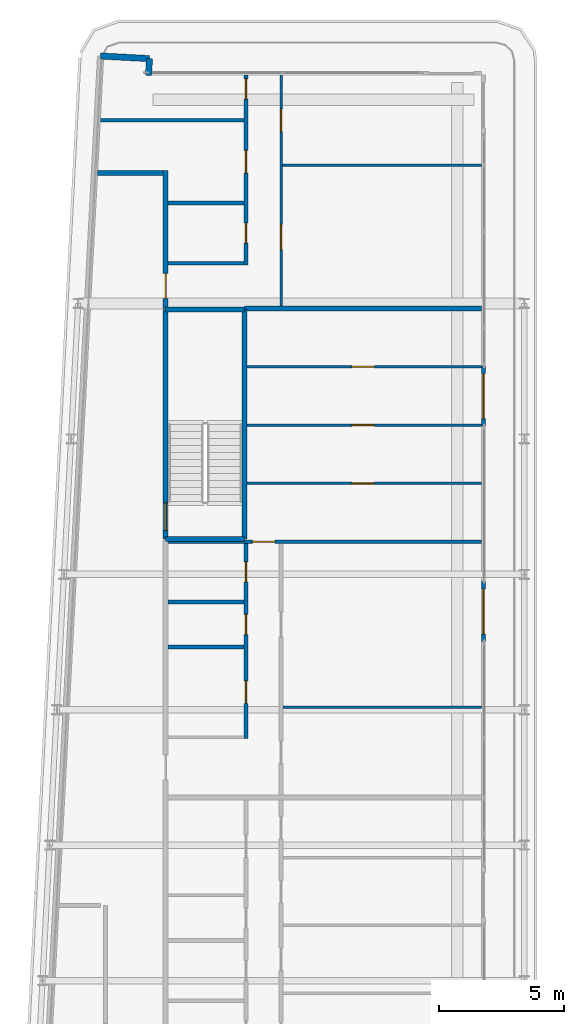
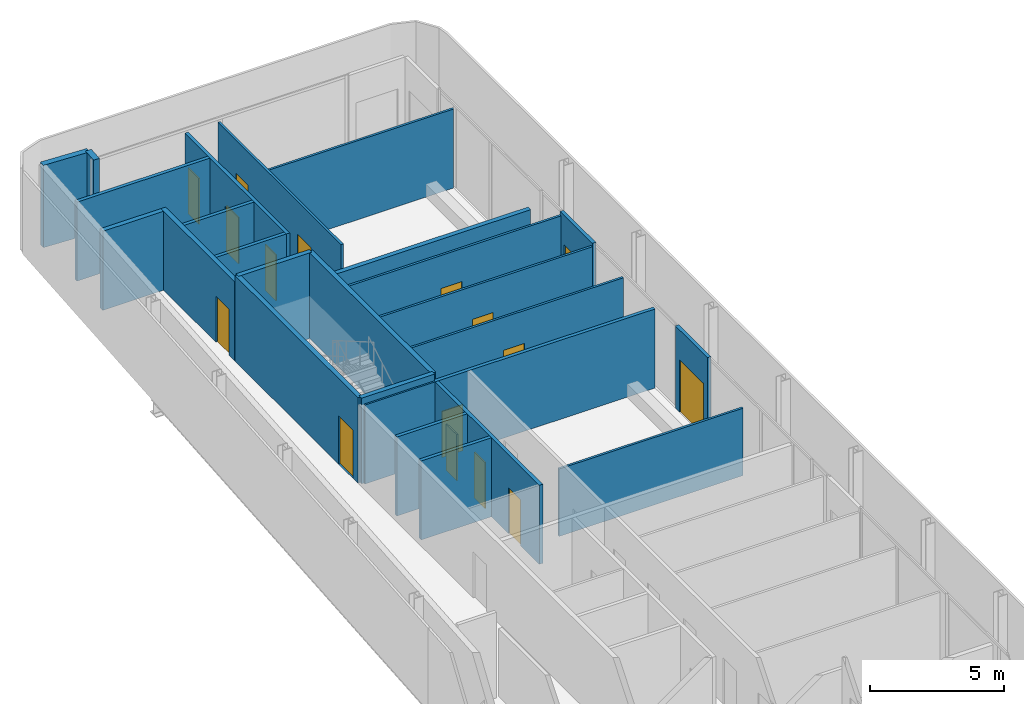
# One storey, part 14 of 21: 25 walls, 16 doors, 16 openings.
"""IFC4 building model written with IfcOpenShell, lengths in metres."""

from ifc_helpers import new_model, si_unit, direction, frame, frame_2d, origin, place, context, subcontext, project, spatial, rectangle, extrude, source, transform, mapped, material, layer, layer_set, type_object, element, fill, save


model = new_model("IFC4")

# Units and contexts
model_context = context("Model", 3, precision=1e-05, world=origin(), true_north=direction((0.0, 1.0)))
body_context = subcontext(model_context, "Body", "Model", "MODEL_VIEW")
ifc_project = project(units=[si_unit("LENGTHUNIT", "METRE"), si_unit("AREAUNIT", "SQUARE_METRE"), si_unit("VOLUMEUNIT", "CUBIC_METRE"), si_unit("PLANEANGLEUNIT", "RADIAN"), si_unit("MASSUNIT", "GRAM", prefix="KILO")], contexts=[model_context])

# Site, building, storey
site_placement = place(None, origin())
site = spatial("IfcSite", under=ifc_project, at=site_placement, CompositionType="ELEMENT")
building_placement = place(site_placement, origin())
building = spatial("IfcBuilding", under=site, at=building_placement, Name="Kheshtan School and Residences Tower", CompositionType="ELEMENT")
storey_placement = place(building_placement, frame((0.0, 0.0, 305.89990234375)))
storey = spatial("IfcBuildingStorey", under=building, at=storey_placement, Name="L72", CompositionType="ELEMENT", Elevation=305.89990234375)

# Wall
ifc_material_1 = material(Name="Gypsum board on steel studs with fire boards", Category="steel")
ifc_layer_1 = layer(ifc_material_1, 0.199951171875)
ifc_layer_set_1 = layer_set([ifc_layer_1], Name="Corridor wall 200")
wall_type_1 = type_object("IfcWallType", Name="Corridor wall 200", PredefinedType="PARTITIONING", material=ifc_layer_set_1)
wall_1_placement = place(storey_placement, frame((30.584716796875, 94.0, 0.0), z_axis=(0.0, 0.0, 1.0), x_axis=(1.0, 0.0, 0.0)))
element("IfcWall", 1, at=wall_1_placement, inside=storey, type_object=wall_type_1, Name="Partition L72-002", PredefinedType="PARTITIONING", context=body_context, shape_type="SweptSolid", body=[
    extrude(rectangle(XDim=2.615234375, YDim=0.199951171875, at=frame_2d((1.3076171875, 0.0))), origin(), (0.0, 0.0, 1.0), 3.60009765625),
])

# Wall, opening, door
wall_2_placement = place(storey_placement, frame((33.300048828125, 88.60009765625, 0.0), z_axis=(0.0, 0.0, 1.0), x_axis=(0.0, 1.0, 0.0)))
wall_2 = element("IfcWall", 2, at=wall_2_placement, inside=storey, type_object=wall_type_1, Name="Partition L72-004", PredefinedType="PARTITIONING", context=body_context, shape_type="SweptSolid", body=[
    extrude(rectangle(XDim=5.5, YDim=0.199951171875, at=frame_2d((2.75, 0.0))), origin(), (0.0, 0.0, 1.0), 3.60009765625),
])
opening_1_placement = place(wall_2_placement, frame((0.39990234375, 0.0, 0.0)))
opening_1 = element("IfcOpeningElement", 3, at=opening_1_placement, cuts=wall_2, Name="Opening D72-033", PredefinedType="OPENING", context=body_context, shape_type="SweptSolid", body=[
    extrude(rectangle(XDim=1.0, YDim=2.10009765625, at=frame_2d((0.5, 1.050048828125))), frame((0.0, 0.10986328125, 0.0), z_axis=(0.0, -1.0, 0.0), x_axis=(1.0, 0.0, 0.0)), (0.0, 0.0, 1.0), 0.219970703125),
])
ifc_material_2 = material(Name="Steel-framed fire-resisting door leaf", Category="steel")
door_type_1 = type_object("IfcDoorType", Name="Fire door FD30S 1000 x 2100", OperationType="SINGLE_SWING_LEFT", PredefinedType="DOOR", material=ifc_material_2)
shared_shape_1 = source(origin(), body_context, "Body", "SweptSolid", [
    extrude(rectangle(XDim=1.0, YDim=2.10009765625, at=frame_2d((0.5, 1.050048828125))), frame((0.0, 0.02490234375, 0.0), z_axis=(0.0, -1.0, 0.0), x_axis=(1.0, 0.0, 0.0)), (0.0, 0.0, 1.0), 0.050048828125),
])
door_1_placement = place(opening_1_placement, origin())
door_1 = element("IfcDoor", 4, at=door_1_placement, inside=storey, type_object=door_type_1, Name="Door D72-033", OperationType="SINGLE_SWING_LEFT", OverallHeight=2.10009765625, OverallWidth=1.0, PredefinedType="DOOR", context=body_context, shape_type="MappedRepresentation", body=[
    mapped(shared_shape_1, transform((0.0, 0.0, 0.0), x_axis=(1.0, 0.0, 0.0), y_axis=(0.0, 1.0, 0.0), z_axis=(0.0, 0.0, 1.0), scale=1.0)),
])
fill(opening_1, door_1)

# Walls
ifc_material_3 = material(Name="Concrete C40/50 with ceramic cladding and mineral wool insulation", Category="concrete")
ifc_layer_2 = layer(ifc_material_3, 0.25)
ifc_layer_set_2 = layer_set([ifc_layer_2], Name="External wall 250 ceramic clad")
wall_type_2 = type_object("IfcWallType", Name="External wall 250 ceramic clad", PredefinedType="SOLIDWALL", material=ifc_layer_set_2)
wall_3_placement = place(storey_placement, frame((30.705078125, 98.6640625, 0.0), z_axis=(0.0, 0.0, 1.0), x_axis=(0.998577785791, -0.053314216913, 0.0)))
element("IfcWall", 5, at=wall_3_placement, inside=storey, type_object=wall_type_2, Name="External wall L72 5", PredefinedType="SOLIDWALL", context=body_context, shape_type="SweptSolid", body=[
    extrude(rectangle(XDim=1.95068359375, YDim=0.25, at=frame_2d((0.975341796875, 0.0))), origin(), (0.0, 0.0, 1.0), 3.75),
])
wall_4_placement = place(storey_placement, frame((32.653076171875, 98.56005859375, 0.0), z_axis=(0.0, 0.0, 1.0), x_axis=(-0.054093451632, -0.998535877418, 0.0)))
element("IfcWall", 6, at=wall_4_placement, inside=storey, type_object=wall_type_2, Name="External wall L72 6", PredefinedType="SOLIDWALL", context=body_context, shape_type="SweptSolid", body=[
    extrude(rectangle(XDim=0.66796875, YDim=0.25, at=frame_2d((0.333984375, 0.0))), origin(), (0.0, 0.0, 1.0), 3.75),
])

# Wall, opening, door
ifc_material_4 = material(Name="Aluminium frame wall with insulated infill", Category="aluminium")
ifc_layer_3 = layer(ifc_material_4, 0.14990234375)
ifc_layer_set_3 = layer_set([ifc_layer_3], Name="Glazing frame wall 150")
wall_type_3 = type_object("IfcWallType", Name="Glazing frame wall 150", PredefinedType="SOLIDWALL", material=ifc_layer_set_3)
wall_5_placement = place(storey_placement, frame((45.97509765625, 86.305908203125, 0.0), z_axis=(0.0, 0.0, 1.0), x_axis=(0.0, -1.0, 0.0)))
wall_5 = element("IfcWall", 7, at=wall_5_placement, inside=storey, type_object=wall_type_3, Name="Balcony door wall L72 8.2", PredefinedType="SOLIDWALL", context=body_context, shape_type="SweptSolid", body=[
    extrude(rectangle(XDim=2.39990234375, YDim=0.14990234375, at=frame_2d((1.199951171875, 0.0))), origin(), (0.0, 0.0, 1.0), 3.75),
])
opening_2_placement = place(wall_5_placement, frame((0.300048828125, 0.0, 0.0)))
opening_2 = element("IfcOpeningElement", 8, at=opening_2_placement, cuts=wall_5, Name="Opening BD", PredefinedType="OPENING", context=body_context, shape_type="SweptSolid", body=[
    extrude(rectangle(XDim=1.800048828125, YDim=2.39990234375, at=frame_2d((0.89990234375, 1.199951171875))), frame((0.0, 0.0849609375, 0.0), z_axis=(0.0, -1.0, 0.0), x_axis=(1.0, 0.0, 0.0)), (0.0, 0.0, 1.0), 0.169921875),
])
ifc_material_5 = material(Name="Clear low-e glass in thermally broken aluminium frame", Category="aluminium")
door_type_2 = type_object("IfcDoorType", Name="Balcony sliding door", OperationType="SLIDING_TO_LEFT", PredefinedType="DOOR", material=ifc_material_5)
shared_shape_2 = source(origin(), body_context, "Body", "SweptSolid", [
    extrude(rectangle(XDim=1.800048828125, YDim=2.39990234375, at=frame_2d((0.89990234375, 1.199951171875))), frame((0.0, 0.02490234375, 0.0), z_axis=(0.0, -1.0, 0.0), x_axis=(1.0, 0.0, 0.0)), (0.0, 0.0, 1.0), 0.050048828125),
])
door_2_placement = place(opening_2_placement, origin())
door_2 = element("IfcDoor", 9, at=door_2_placement, inside=storey, type_object=door_type_2, Name="Balcony door L72 8.2", OperationType="SLIDING_TO_LEFT", OverallHeight=2.39990234375, OverallWidth=1.800048828125, PredefinedType="DOOR", context=body_context, shape_type="MappedRepresentation", body=[
    mapped(shared_shape_2, transform((0.0, 0.0, 0.0), x_axis=(1.0, 0.0, 0.0), y_axis=(0.0, 1.0, 0.0), z_axis=(0.0, 0.0, 1.0), scale=1.0)),
])
fill(opening_2, door_2)

wall_6_placement = place(storey_placement, frame((45.97509765625, 77.7119140625, 0.0), z_axis=(0.0, 0.0, 1.0), x_axis=(0.0, -1.0, 0.0)))
wall_6 = element("IfcWall", 10, at=wall_6_placement, inside=storey, type_object=wall_type_3, Name="Balcony door wall L72 8.3", PredefinedType="SOLIDWALL", context=body_context, shape_type="SweptSolid", body=[
    extrude(rectangle(XDim=2.39990234375, YDim=0.14990234375, at=frame_2d((1.199951171875, 0.0))), origin(), (0.0, 0.0, 1.0), 3.75),
])
opening_3_placement = place(wall_6_placement, frame((0.300048828125, 0.0, 0.0)))
opening_3 = element("IfcOpeningElement", 11, at=opening_3_placement, cuts=wall_6, Name="Opening BD", PredefinedType="OPENING", context=body_context, shape_type="SweptSolid", body=[
    extrude(rectangle(XDim=1.800048828125, YDim=2.39990234375, at=frame_2d((0.89990234375, 1.199951171875))), frame((0.0, 0.0849609375, 0.0), z_axis=(0.0, -1.0, 0.0), x_axis=(1.0, 0.0, 0.0)), (0.0, 0.0, 1.0), 0.169921875),
])
door_3_placement = place(opening_3_placement, origin())
door_3 = element("IfcDoor", 12, at=door_3_placement, inside=storey, type_object=door_type_2, Name="Balcony door L72 8.3", OperationType="SLIDING_TO_LEFT", OverallHeight=2.39990234375, OverallWidth=1.800048828125, PredefinedType="DOOR", context=body_context, shape_type="MappedRepresentation", body=[
    mapped(shared_shape_2, transform((0.0, 0.0, 0.0), x_axis=(1.0, 0.0, 0.0), y_axis=(0.0, 1.0, 0.0), z_axis=(0.0, 0.0, 1.0), scale=1.0)),
])
fill(opening_3, door_3)

ifc_material_6 = material(Name="Gypsum board on steel studs", Category="steel")
ifc_layer_4 = layer(ifc_material_6, 0.10009765625)
ifc_layer_set_4 = layer_set([ifc_layer_4], Name="Gypsum partition 100")
wall_type_4 = type_object("IfcWallType", Name="Gypsum partition 100", PredefinedType="PARTITIONING", material=ifc_layer_set_4)
wall_7_placement = place(storey_placement, frame((36.549072265625, 81.625, 0.0), z_axis=(0.0, 0.0, 1.0), x_axis=(1.0, 0.0, 0.0)))
wall_7 = element("IfcWall", 13, at=wall_7_placement, inside=storey, type_object=wall_type_4, Name="Partition L72-026", PredefinedType="PARTITIONING", context=body_context, shape_type="SweptSolid", body=[
    extrude(rectangle(XDim=9.350830078125, YDim=0.10009765625, at=frame_2d((4.67529296875, 0.0))), origin(), (0.0, 0.0, 1.0), 3.60009765625),
])
opening_4_placement = place(wall_7_placement, frame((4.176025390625, 0.0, 0.0)))
opening_4 = element("IfcOpeningElement", 14, at=opening_4_placement, cuts=wall_7, Name="Opening D72-028", PredefinedType="OPENING", context=body_context, shape_type="SweptSolid", body=[
    extrude(rectangle(XDim=0.89990234375, YDim=2.10009765625, at=frame_2d((0.449951171875, 1.050048828125))), frame((0.0, 0.06005859375, 0.0), z_axis=(0.0, -1.0, 0.0), x_axis=(1.0, 0.0, 0.0)), (0.0, 0.0, 1.0), 0.1201171875),
])
ifc_material_7 = material(Name="Veneered timber door leaf", Category="wood")
door_type_3 = type_object("IfcDoorType", Name="Door 900 x 2100", OperationType="SINGLE_SWING_LEFT", PredefinedType="DOOR", material=ifc_material_7)
shared_shape_3 = source(origin(), body_context, "Body", "SweptSolid", [
    extrude(rectangle(XDim=0.89990234375, YDim=2.10009765625, at=frame_2d((0.449951171875, 1.050048828125))), frame((0.0, 0.02490234375, 0.0), z_axis=(0.0, -1.0, 0.0), x_axis=(1.0, 0.0, 0.0)), (0.0, 0.0, 1.0), 0.050048828125),
])
door_4_placement = place(opening_4_placement, origin())
door_4 = element("IfcDoor", 15, at=door_4_placement, inside=storey, type_object=door_type_3, Name="Door D72-028", OperationType="SINGLE_SWING_RIGHT", OverallHeight=2.10009765625, OverallWidth=0.89990234375, PredefinedType="DOOR", context=body_context, shape_type="MappedRepresentation", body=[
    mapped(shared_shape_3, transform((0.0, 0.0, 0.0), x_axis=(1.0, 0.0, 0.0), y_axis=(0.0, 1.0, 0.0), z_axis=(0.0, 0.0, 1.0), scale=1.0)),
])
fill(opening_4, door_4)

wall_8_placement = place(storey_placement, frame((36.549072265625, 83.949951171875, 0.0), z_axis=(0.0, 0.0, 1.0), x_axis=(1.0, 0.0, 0.0)))
wall_8 = element("IfcWall", 16, at=wall_8_placement, inside=storey, type_object=wall_type_4, Name="Partition L72-027", PredefinedType="PARTITIONING", context=body_context, shape_type="SweptSolid", body=[
    extrude(rectangle(XDim=9.350830078125, YDim=0.10009765625, at=frame_2d((4.67529296875, 0.0))), origin(), (0.0, 0.0, 1.0), 3.60009765625),
])
opening_5_placement = place(wall_8_placement, frame((4.176025390625, 0.0, 0.0)))
opening_5 = element("IfcOpeningElement", 17, at=opening_5_placement, cuts=wall_8, Name="Opening D72-029", PredefinedType="OPENING", context=body_context, shape_type="SweptSolid", body=[
    extrude(rectangle(XDim=0.89990234375, YDim=2.10009765625, at=frame_2d((0.449951171875, 1.050048828125))), frame((0.0, 0.06005859375, 0.0), z_axis=(0.0, -1.0, 0.0), x_axis=(1.0, 0.0, 0.0)), (0.0, 0.0, 1.0), 0.1201171875),
])
door_5_placement = place(opening_5_placement, origin())
door_5 = element("IfcDoor", 18, at=door_5_placement, inside=storey, type_object=door_type_3, Name="Door D72-029", OperationType="SINGLE_SWING_RIGHT", OverallHeight=2.10009765625, OverallWidth=0.89990234375, PredefinedType="DOOR", context=body_context, shape_type="MappedRepresentation", body=[
    mapped(shared_shape_3, transform((0.0, 0.0, 0.0), x_axis=(1.0, 0.0, 0.0), y_axis=(0.0, 1.0, 0.0), z_axis=(0.0, 0.0, 1.0), scale=1.0)),
])
fill(opening_5, door_5)

wall_9_placement = place(storey_placement, frame((36.549072265625, 86.27490234375, 0.0), z_axis=(0.0, 0.0, 1.0), x_axis=(1.0, 0.0, 0.0)))
wall_9 = element("IfcWall", 19, at=wall_9_placement, inside=storey, type_object=wall_type_4, Name="Partition L72-028", PredefinedType="PARTITIONING", context=body_context, shape_type="SweptSolid", body=[
    extrude(rectangle(XDim=9.350830078125, YDim=0.10009765625, at=frame_2d((4.67529296875, 0.0))), origin(), (0.0, 0.0, 1.0), 3.60009765625),
])
opening_6_placement = place(wall_9_placement, frame((4.176025390625, 0.0, 0.0)))
opening_6 = element("IfcOpeningElement", 20, at=opening_6_placement, cuts=wall_9, Name="Opening D72-030", PredefinedType="OPENING", context=body_context, shape_type="SweptSolid", body=[
    extrude(rectangle(XDim=0.89990234375, YDim=2.10009765625, at=frame_2d((0.449951171875, 1.050048828125))), frame((0.0, 0.06005859375, 0.0), z_axis=(0.0, -1.0, 0.0), x_axis=(1.0, 0.0, 0.0)), (0.0, 0.0, 1.0), 0.1201171875),
])
door_6_placement = place(opening_6_placement, origin())
door_6 = element("IfcDoor", 21, at=door_6_placement, inside=storey, type_object=door_type_3, Name="Door D72-030", OperationType="SINGLE_SWING_RIGHT", OverallHeight=2.10009765625, OverallWidth=0.89990234375, PredefinedType="DOOR", context=body_context, shape_type="MappedRepresentation", body=[
    mapped(shared_shape_3, transform((0.0, 0.0, 0.0), x_axis=(1.0, 0.0, 0.0), y_axis=(0.0, 1.0, 0.0), z_axis=(0.0, 0.0, 1.0), scale=1.0)),
])
fill(opening_6, door_6)

# Wall, openings, doors
wall_10_placement = place(storey_placement, frame((37.89990234375, 88.699951171875, 0.0), z_axis=(0.0, 0.0, 1.0), x_axis=(0.0, 1.0, 0.0)))
wall_10 = element("IfcWall", 22, at=wall_10_placement, inside=storey, type_object=wall_type_4, Name="Partition L72-032", PredefinedType="PARTITIONING", context=body_context, shape_type="SweptSolid", body=[
    extrude(rectangle(XDim=9.199951171875, YDim=0.10009765625, at=frame_2d((4.60009765625, 0.0))), origin(), (0.0, 0.0, 1.0), 3.60009765625),
])
opening_7_placement = place(wall_10_placement, frame((6.949951171875, 0.0, 0.0)))
opening_7 = element("IfcOpeningElement", 23, at=opening_7_placement, cuts=wall_10, Name="Opening D72-032", PredefinedType="OPENING", context=body_context, shape_type="SweptSolid", body=[
    extrude(rectangle(XDim=0.89990234375, YDim=2.10009765625, at=frame_2d((0.449951171875, 1.050048828125))), frame((0.0, 0.06005859375, 0.0), z_axis=(0.0, -1.0, 0.0), x_axis=(1.0, 0.0, 0.0)), (0.0, 0.0, 1.0), 0.1201171875),
])
opening_8_placement = place(wall_10_placement, frame((2.25, 0.0, 0.0)))
opening_8 = element("IfcOpeningElement", 24, at=opening_8_placement, cuts=wall_10, Name="Opening D72-035", PredefinedType="OPENING", context=body_context, shape_type="SweptSolid", body=[
    extrude(rectangle(XDim=1.0, YDim=2.10009765625, at=frame_2d((0.5, 1.050048828125))), frame((0.0, 0.06005859375, 0.0), z_axis=(0.0, -1.0, 0.0), x_axis=(1.0, 0.0, 0.0)), (0.0, 0.0, 1.0), 0.1201171875),
])
door_type_4 = type_object("IfcDoorType", Name="Door 1000 x 2100", OperationType="SINGLE_SWING_LEFT", PredefinedType="DOOR", material=ifc_material_7)
shared_shape_4 = source(origin(), body_context, "Body", "SweptSolid", [
    extrude(rectangle(XDim=1.0, YDim=2.10009765625, at=frame_2d((0.5, 1.050048828125))), frame((0.0, 0.02490234375, 0.0), z_axis=(0.0, -1.0, 0.0), x_axis=(1.0, 0.0, 0.0)), (0.0, 0.0, 1.0), 0.050048828125),
])
door_7_placement = place(opening_8_placement, origin())
door_7 = element("IfcDoor", 25, at=door_7_placement, inside=storey, type_object=door_type_4, Name="Door D72-035", OperationType="SINGLE_SWING_RIGHT", OverallHeight=2.10009765625, OverallWidth=1.0, PredefinedType="DOOR", context=body_context, shape_type="MappedRepresentation", body=[
    mapped(shared_shape_4, transform((0.0, 0.0, 0.0), x_axis=(1.0, 0.0, 0.0), y_axis=(0.0, 1.0, 0.0), z_axis=(0.0, 0.0, 1.0), scale=1.0)),
])
fill(opening_8, door_7)
door_8_placement = place(opening_7_placement, origin())
door_8 = element("IfcDoor", 26, at=door_8_placement, inside=storey, type_object=door_type_3, Name="Door D72-032", OperationType="SINGLE_SWING_RIGHT", OverallHeight=2.10009765625, OverallWidth=0.89990234375, PredefinedType="DOOR", context=body_context, shape_type="MappedRepresentation", body=[
    mapped(shared_shape_3, transform((0.0, 0.0, 0.0), x_axis=(1.0, 0.0, 0.0), y_axis=(0.0, 1.0, 0.0), z_axis=(0.0, 0.0, 1.0), scale=1.0)),
])
fill(opening_7, door_8)

# Walls
wall_11_placement = place(storey_placement, frame((37.949951171875, 94.300048828125, 0.0), z_axis=(0.0, 0.0, 1.0), x_axis=(1.0, 0.0, 0.0)))
element("IfcWall", 27, at=wall_11_placement, inside=storey, type_object=wall_type_4, Name="Partition L72-033", PredefinedType="PARTITIONING", context=body_context, shape_type="SweptSolid", body=[
    extrude(rectangle(XDim=7.949951171875, YDim=0.10009765625, at=frame_2d((3.97509765625, 0.0))), origin(), (0.0, 0.0, 1.0), 3.60009765625),
])
wall_12_placement = place(storey_placement, frame((37.97509765625, 72.699951171875, 0.0), z_axis=(0.0, 0.0, 1.0), x_axis=(1.0, 0.0, 0.0)))
element("IfcWall", 28, at=wall_12_placement, inside=storey, type_object=wall_type_4, Name="Partition L72-039", PredefinedType="PARTITIONING", context=body_context, shape_type="SweptSolid", body=[
    extrude(rectangle(XDim=7.9248046875, YDim=0.10009765625, at=frame_2d((3.96240234375, 0.0))), origin(), (0.0, 0.0, 1.0), 3.072021484375),
])
ifc_material_8 = material(Name="Concrete C40/50", Category="concrete")
ifc_layer_5 = layer(ifc_material_8, 0.199951171875)
ifc_layer_set_5 = layer_set([ifc_layer_5], Name="Stair enclosure wall 200 Concrete C40/50")
wall_type_5 = type_object("IfcWallType", Name="Stair enclosure wall 200 Concrete C40/50", PredefinedType="SHEAR", material=ifc_layer_set_5)
for number, where, z_axis, x_axis, name in (
    (29, (33.300048828125, 79.39990234375, 0.0), (0.0, 0.0, 1.0), (1.0, 0.0, 0.0), "Stair enclosure wall ST3"),
    (30, (33.300048828125, 88.56005859375, 0.0), (0.0, 0.0, 1.0), (1.0, 0.0, 0.0), "Stair enclosure wall ST3"),
):
    element("IfcWall", number, at=place(storey_placement, frame(where, z_axis=z_axis, x_axis=x_axis)), inside=storey, type_object=wall_type_5, Name=name, PredefinedType="SHEAR", context=body_context, shape_type="SweptSolid", body=[
        extrude(rectangle(XDim=3.14990234375, YDim=0.199951171875, at=frame_2d((1.574951171875, 0.0))), origin(), (0.0, 0.0, 1.0), 3.900146484375),
    ])

# Wall, opening, door
wall_13_placement = place(storey_placement, frame((33.300048828125, 79.39990234375, 0.0), z_axis=(0.0, 0.0, 1.0), x_axis=(0.0, 1.0, 0.0)))
wall_13 = element("IfcWall", 31, at=wall_13_placement, inside=storey, type_object=wall_type_5, Name="Stair enclosure wall ST3", PredefinedType="SHEAR", context=body_context, shape_type="SweptSolid", body=[
    extrude(rectangle(XDim=9.16015625, YDim=0.199951171875, at=frame_2d((4.580078125, 0.0))), origin(), (0.0, 0.0, 1.0), 3.900146484375),
])
opening_9_placement = place(wall_13_placement, frame((0.35009765625, 0.0, 0.0)))
opening_9 = element("IfcOpeningElement", 32, at=opening_9_placement, cuts=wall_13, Name="Opening ST3D", PredefinedType="OPENING", context=body_context, shape_type="SweptSolid", body=[
    extrude(rectangle(XDim=1.10009765625, YDim=2.199951171875, at=frame_2d((0.550048828125, 1.10009765625))), frame((0.0, 0.10986328125, 0.0), z_axis=(0.0, -1.0, 0.0), x_axis=(1.0, 0.0, 0.0)), (0.0, 0.0, 1.0), 0.219970703125),
])
ifc_material_9 = material(Name="Steel door leaf, galvanised", Category="steel")
door_type_5 = type_object("IfcDoorType", Name="Stair door 1100 steel 90 min", OperationType="SINGLE_SWING_LEFT", PredefinedType="DOOR", material=ifc_material_9)
shared_shape_5 = source(origin(), body_context, "Body", "SweptSolid", [
    extrude(rectangle(XDim=1.10009765625, YDim=2.199951171875, at=frame_2d((0.550048828125, 1.10009765625))), frame((0.0, 0.02490234375, 0.0), z_axis=(0.0, -1.0, 0.0), x_axis=(1.0, 0.0, 0.0)), (0.0, 0.0, 1.0), 0.050048828125),
])
door_9_placement = place(opening_9_placement, origin())
door_9 = element("IfcDoor", 33, at=door_9_placement, inside=storey, type_object=door_type_5, Name="Stair ST3 door", OperationType="SINGLE_SWING_RIGHT", OverallHeight=2.199951171875, OverallWidth=1.10009765625, PredefinedType="DOOR", context=body_context, shape_type="MappedRepresentation", body=[
    mapped(shared_shape_5, transform((0.0, 0.0, 0.0), x_axis=(1.0, 0.0, 0.0), y_axis=(0.0, 1.0, 0.0), z_axis=(0.0, 0.0, 1.0), scale=1.0)),
])
fill(opening_9, door_9)

# Walls
wall_14_placement = place(storey_placement, frame((36.449951171875, 79.39990234375, 0.0), z_axis=(0.0, 0.0, 1.0), x_axis=(0.0, 1.0, 0.0)))
element("IfcWall", 34, at=wall_14_placement, inside=storey, type_object=wall_type_5, Name="Stair enclosure wall ST3", PredefinedType="SHEAR", context=body_context, shape_type="SweptSolid", body=[
    extrude(rectangle(XDim=9.16015625, YDim=0.199951171875, at=frame_2d((4.580078125, 0.0))), origin(), (0.0, 0.0, 1.0), 3.900146484375),
])
ifc_material_10 = material(Name="Twin gypsum board on steel studs with mineral wool", Category="steel")
ifc_layer_6 = layer(ifc_material_10, 0.199951171875)
ifc_layer_set_6 = layer_set([ifc_layer_6], Name="Unit demising wall 200")
wall_type_6 = type_object("IfcWallType", Name="Unit demising wall 200", PredefinedType="PARTITIONING", material=ifc_layer_set_6)
wall_15_placement = place(storey_placement, frame((36.449951171875, 88.60009765625, 0.0), z_axis=(0.0, 0.0, 1.0), x_axis=(1.0, 0.0, 0.0)))
element("IfcWall", 35, at=wall_15_placement, inside=storey, type_object=wall_type_6, Name="Partition L72-024", PredefinedType="PARTITIONING", context=body_context, shape_type="SweptSolid", body=[
    extrude(rectangle(XDim=9.449951171875, YDim=0.199951171875, at=frame_2d((4.72509765625, 0.0))), origin(), (0.0, 0.0, 1.0), 2.5),
])
ifc_material_11 = material(Name="Moisture-resistant gypsum board on steel studs", Category="steel")
ifc_layer_7 = layer(ifc_material_11, 0.14990234375)
ifc_layer_set_7 = layer_set([ifc_layer_7], Name="Wet-room partition 150")
wall_type_7 = type_object("IfcWallType", Name="Wet-room partition 150", PredefinedType="PARTITIONING", material=ifc_layer_set_7)
wall_16_placement = place(storey_placement, frame((30.695068359375, 96.10009765625, 0.0), z_axis=(0.0, 0.0, 1.0), x_axis=(1.0, 0.0, 0.0)))
element("IfcWall", 36, at=wall_16_placement, inside=storey, type_object=wall_type_7, Name="Partition L72-001", PredefinedType="PARTITIONING", context=body_context, shape_type="SweptSolid", body=[
    extrude(rectangle(XDim=5.72998046875, YDim=0.14990234375, at=frame_2d((2.864990234375, 0.0))), origin(), (0.0, 0.0, 1.0), 3.60009765625),
])
for number, where, z_axis, x_axis, name in (
    (37, (33.39990234375, 75.10009765625, 0.0), (0.0, 0.0, 1.0), (1.0, 0.0, 0.0), "Partition L72-013"),
    (38, (33.39990234375, 76.89990234375, 0.0), (0.0, 0.0, 1.0), (1.0, 0.0, 0.0), "Partition L72-014"),
):
    element("IfcWall", number, at=place(storey_placement, frame(where, z_axis=z_axis, x_axis=x_axis)), inside=storey, type_object=wall_type_7, Name=name, PredefinedType="PARTITIONING", context=body_context, shape_type="SweptSolid", body=[
        extrude(rectangle(XDim=3.025146484375, YDim=0.14990234375, at=frame_2d((1.5126953125, 0.0))), origin(), (0.0, 0.0, 1.0), 3.60009765625),
    ])

# Wall, opening, door
wall_17_placement = place(storey_placement, frame((33.39990234375, 79.300048828125, 0.0), z_axis=(0.0, 0.0, 1.0), x_axis=(1.0, 0.0, 0.0)))
wall_17 = element("IfcWall", 39, at=wall_17_placement, inside=storey, type_object=wall_type_7, Name="Partition L72-015", PredefinedType="PARTITIONING", context=body_context, shape_type="SweptSolid", body=[
    extrude(rectangle(XDim=12.5, YDim=0.14990234375, at=frame_2d((6.25, 0.0))), origin(), (0.0, 0.0, 1.0), 3.60009765625),
])
opening_10_placement = place(wall_17_placement, frame((3.35498046875, 0.0, 0.0)))
opening_10 = element("IfcOpeningElement", 40, at=opening_10_placement, cuts=wall_17, Name="Opening D72-027", PredefinedType="OPENING", context=body_context, shape_type="SweptSolid", body=[
    extrude(rectangle(XDim=0.89990234375, YDim=2.10009765625, at=frame_2d((0.449951171875, 1.050048828125))), frame((0.0, 0.0849609375, 0.0), z_axis=(0.0, -1.0, 0.0), x_axis=(1.0, 0.0, 0.0)), (0.0, 0.0, 1.0), 0.169921875),
])
door_10_placement = place(opening_10_placement, origin())
door_10 = element("IfcDoor", 41, at=door_10_placement, inside=storey, type_object=door_type_3, Name="Door D72-027", OperationType="SINGLE_SWING_LEFT", OverallHeight=2.10009765625, OverallWidth=0.89990234375, PredefinedType="DOOR", context=body_context, shape_type="MappedRepresentation", body=[
    mapped(shared_shape_3, transform((0.0, 0.0, 0.0), x_axis=(1.0, 0.0, 0.0), y_axis=(0.0, 1.0, 0.0), z_axis=(0.0, 0.0, 1.0), scale=1.0)),
])
fill(opening_10, door_10)

# Walls
for number, where, z_axis, x_axis, name in (
    (42, (33.39990234375, 90.39990234375, 0.0), (0.0, 0.0, 1.0), (1.0, 0.0, 0.0), "Partition L72-016"),
    (43, (33.39990234375, 92.800048828125, 0.0), (0.0, 0.0, 1.0), (1.0, 0.0, 0.0), "Partition L72-017"),
):
    element("IfcWall", number, at=place(storey_placement, frame(where, z_axis=z_axis, x_axis=x_axis)), inside=storey, type_object=wall_type_7, Name=name, PredefinedType="PARTITIONING", context=body_context, shape_type="SweptSolid", body=[
        extrude(rectangle(XDim=3.025146484375, YDim=0.14990234375, at=frame_2d((1.5126953125, 0.0))), origin(), (0.0, 0.0, 1.0), 3.60009765625),
    ])

# Wall, openings, doors
wall_18_placement = place(storey_placement, frame((36.5, 71.449951171875, 0.0), z_axis=(0.0, 0.0, 1.0), x_axis=(0.0, 1.0, 0.0)))
wall_18 = element("IfcWall", 44, at=wall_18_placement, inside=storey, type_object=wall_type_7, Name="Partition L72-023", PredefinedType="PARTITIONING", context=body_context, shape_type="SweptSolid", body=[
    extrude(rectangle(XDim=7.775146484375, YDim=0.14990234375, at=frame_2d((3.8876953125, 0.0))), origin(), (0.0, 0.0, 1.0), 3.60009765625),
])
opening_11_placement = place(wall_18_placement, frame((6.25, 0.0, 0.0)))
opening_11 = element("IfcOpeningElement", 45, at=opening_11_placement, cuts=wall_18, Name="Opening D72-021", PredefinedType="OPENING", context=body_context, shape_type="SweptSolid", body=[
    extrude(rectangle(XDim=0.800048828125, YDim=2.10009765625, at=frame_2d((0.39990234375, 1.050048828125))), frame((0.0, 0.0849609375, 0.0), z_axis=(0.0, -1.0, 0.0), x_axis=(1.0, 0.0, 0.0)), (0.0, 0.0, 1.0), 0.169921875),
])
opening_12_placement = place(wall_18_placement, frame((1.39990234375, 0.0, 0.0)))
opening_12 = element("IfcOpeningElement", 46, at=opening_12_placement, cuts=wall_18, Name="Opening D72-024", PredefinedType="OPENING", context=body_context, shape_type="SweptSolid", body=[
    extrude(rectangle(XDim=0.89990234375, YDim=2.10009765625, at=frame_2d((0.449951171875, 1.050048828125))), frame((0.0, 0.0849609375, 0.0), z_axis=(0.0, -1.0, 0.0), x_axis=(1.0, 0.0, 0.0)), (0.0, 0.0, 1.0), 0.169921875),
])
opening_13_placement = place(wall_18_placement, frame((4.14990234375, 0.0, 0.0)))
opening_13 = element("IfcOpeningElement", 47, at=opening_13_placement, cuts=wall_18, Name="Opening D72-026", PredefinedType="OPENING", context=body_context, shape_type="SweptSolid", body=[
    extrude(rectangle(XDim=0.800048828125, YDim=2.10009765625, at=frame_2d((0.39990234375, 1.050048828125))), frame((0.0, 0.0849609375, 0.0), z_axis=(0.0, -1.0, 0.0), x_axis=(1.0, 0.0, 0.0)), (0.0, 0.0, 1.0), 0.169921875),
])
door_type_6 = type_object("IfcDoorType", Name="Door 800 x 2100", OperationType="SINGLE_SWING_LEFT", PredefinedType="DOOR", material=ifc_material_7)
shared_shape_6 = source(origin(), body_context, "Body", "SweptSolid", [
    extrude(rectangle(XDim=0.800048828125, YDim=2.10009765625, at=frame_2d((0.39990234375, 1.050048828125))), frame((0.0, 0.02490234375, 0.0), z_axis=(0.0, -1.0, 0.0), x_axis=(1.0, 0.0, 0.0)), (0.0, 0.0, 1.0), 0.050048828125),
])
door_11_placement = place(opening_11_placement, origin())
door_11 = element("IfcDoor", 48, at=door_11_placement, inside=storey, type_object=door_type_6, Name="Door D72-021", OperationType="SINGLE_SWING_RIGHT", OverallHeight=2.10009765625, OverallWidth=0.800048828125, PredefinedType="DOOR", context=body_context, shape_type="MappedRepresentation", body=[
    mapped(shared_shape_6, transform((0.0, 0.0, 0.0), x_axis=(1.0, 0.0, 0.0), y_axis=(0.0, 1.0, 0.0), z_axis=(0.0, 0.0, 1.0), scale=1.0)),
])
fill(opening_11, door_11)
door_12_placement = place(opening_13_placement, origin())
door_12 = element("IfcDoor", 49, at=door_12_placement, inside=storey, type_object=door_type_6, Name="Door D72-026", OperationType="SINGLE_SWING_RIGHT", OverallHeight=2.10009765625, OverallWidth=0.800048828125, PredefinedType="DOOR", context=body_context, shape_type="MappedRepresentation", body=[
    mapped(shared_shape_6, transform((0.0, 0.0, 0.0), x_axis=(1.0, 0.0, 0.0), y_axis=(0.0, 1.0, 0.0), z_axis=(0.0, 0.0, 1.0), scale=1.0)),
])
fill(opening_13, door_12)
door_13_placement = place(opening_12_placement, origin())
door_13 = element("IfcDoor", 50, at=door_13_placement, inside=storey, type_object=door_type_3, Name="Door D72-024", OperationType="SINGLE_SWING_RIGHT", OverallHeight=2.10009765625, OverallWidth=0.89990234375, PredefinedType="DOOR", context=body_context, shape_type="MappedRepresentation", body=[
    mapped(shared_shape_3, transform((0.0, 0.0, 0.0), x_axis=(1.0, 0.0, 0.0), y_axis=(0.0, 1.0, 0.0), z_axis=(0.0, 0.0, 1.0), scale=1.0)),
])
fill(opening_12, door_13)

wall_19_placement = place(storey_placement, frame((36.5, 90.324951171875, 0.0), z_axis=(0.0, 0.0, 1.0), x_axis=(0.0, 1.0, 0.0)))
wall_19 = element("IfcWall", 51, at=wall_19_placement, inside=storey, type_object=wall_type_7, Name="Partition L72-025", PredefinedType="PARTITIONING", context=body_context, shape_type="SweptSolid", body=[
    extrude(rectangle(XDim=7.574951171875, YDim=0.14990234375, at=frame_2d((3.78759765625, 0.0))), origin(), (0.0, 0.0, 1.0), 3.60009765625),
])
opening_14_placement = place(wall_19_placement, frame((0.875, 0.0, 0.0)))
opening_14 = element("IfcOpeningElement", 52, at=opening_14_placement, cuts=wall_19, Name="Opening D72-031", PredefinedType="OPENING", context=body_context, shape_type="SweptSolid", body=[
    extrude(rectangle(XDim=0.800048828125, YDim=2.10009765625, at=frame_2d((0.39990234375, 1.050048828125))), frame((0.0, 0.0849609375, 0.0), z_axis=(0.0, -1.0, 0.0), x_axis=(1.0, 0.0, 0.0)), (0.0, 0.0, 1.0), 0.169921875),
])
opening_15_placement = place(wall_19_placement, frame((3.675048828125, 0.0, 0.0)))
opening_15 = element("IfcOpeningElement", 53, at=opening_15_placement, cuts=wall_19, Name="Opening D72-034", PredefinedType="OPENING", context=body_context, shape_type="SweptSolid", body=[
    extrude(rectangle(XDim=0.89990234375, YDim=2.10009765625, at=frame_2d((0.449951171875, 1.050048828125))), frame((0.0, 0.0849609375, 0.0), z_axis=(0.0, -1.0, 0.0), x_axis=(1.0, 0.0, 0.0)), (0.0, 0.0, 1.0), 0.169921875),
])
opening_16_placement = place(wall_19_placement, frame((6.625, 0.0, 0.0)))
opening_16 = element("IfcOpeningElement", 54, at=opening_16_placement, cuts=wall_19, Name="Opening D72-036", PredefinedType="OPENING", context=body_context, shape_type="SweptSolid", body=[
    extrude(rectangle(XDim=0.800048828125, YDim=2.10009765625, at=frame_2d((0.39990234375, 1.050048828125))), frame((0.0, 0.0849609375, 0.0), z_axis=(0.0, -1.0, 0.0), x_axis=(1.0, 0.0, 0.0)), (0.0, 0.0, 1.0), 0.169921875),
])
door_14_placement = place(opening_14_placement, origin())
door_14 = element("IfcDoor", 55, at=door_14_placement, inside=storey, type_object=door_type_6, Name="Door D72-031", OperationType="SINGLE_SWING_LEFT", OverallHeight=2.10009765625, OverallWidth=0.800048828125, PredefinedType="DOOR", context=body_context, shape_type="MappedRepresentation", body=[
    mapped(shared_shape_6, transform((0.0, 0.0, 0.0), x_axis=(1.0, 0.0, 0.0), y_axis=(0.0, 1.0, 0.0), z_axis=(0.0, 0.0, 1.0), scale=1.0)),
])
fill(opening_14, door_14)
door_15_placement = place(opening_16_placement, origin())
door_15 = element("IfcDoor", 56, at=door_15_placement, inside=storey, type_object=door_type_6, Name="Door D72-036", OperationType="SINGLE_SWING_LEFT", OverallHeight=2.10009765625, OverallWidth=0.800048828125, PredefinedType="DOOR", context=body_context, shape_type="MappedRepresentation", body=[
    mapped(shared_shape_6, transform((0.0, 0.0, 0.0), x_axis=(1.0, 0.0, 0.0), y_axis=(0.0, 1.0, 0.0), z_axis=(0.0, 0.0, 1.0), scale=1.0)),
])
fill(opening_16, door_15)
door_16_placement = place(opening_15_placement, origin())
door_16 = element("IfcDoor", 57, at=door_16_placement, inside=storey, type_object=door_type_3, Name="Door D72-034", OperationType="SINGLE_SWING_LEFT", OverallHeight=2.10009765625, OverallWidth=0.89990234375, PredefinedType="DOOR", context=body_context, shape_type="MappedRepresentation", body=[
    mapped(shared_shape_3, transform((0.0, 0.0, 0.0), x_axis=(1.0, 0.0, 0.0), y_axis=(0.0, 1.0, 0.0), z_axis=(0.0, 0.0, 1.0), scale=1.0)),
])
fill(opening_15, door_16)

save(model, "model.ifc")
